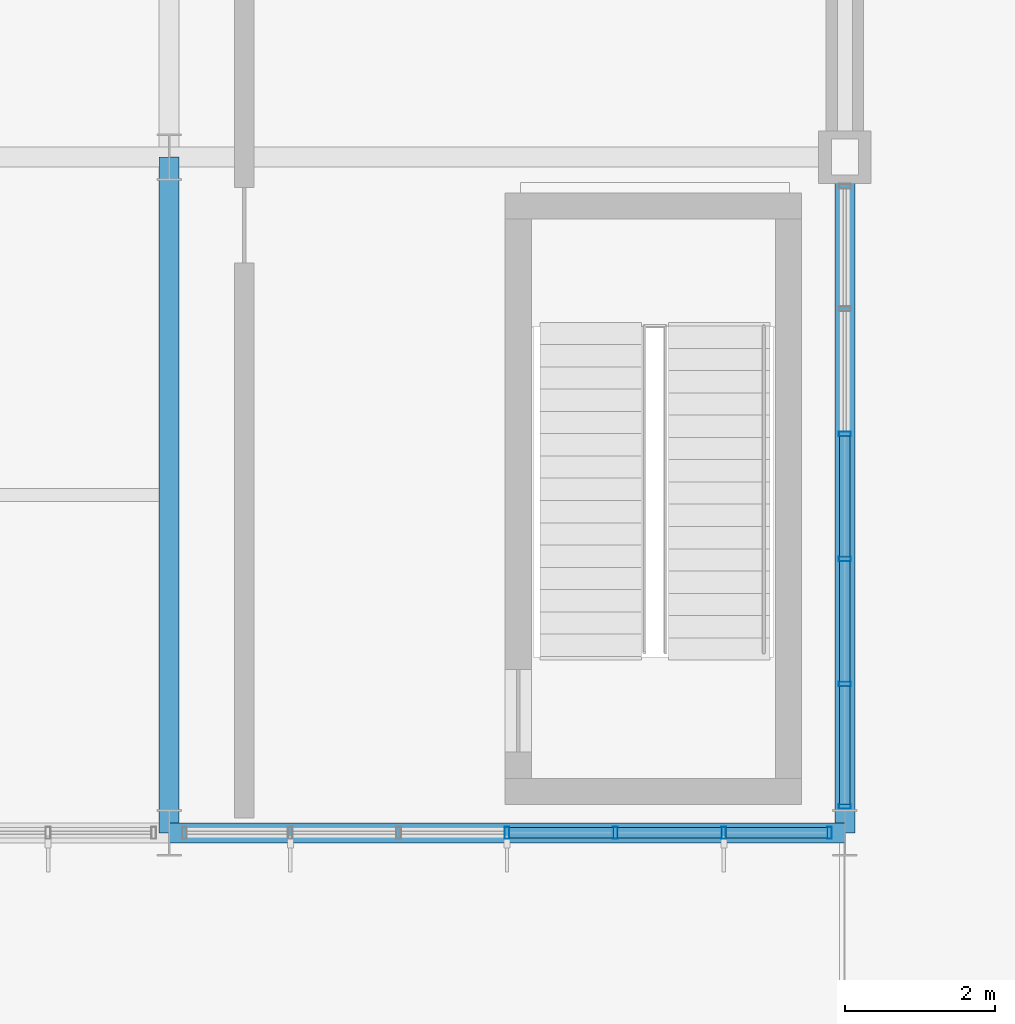
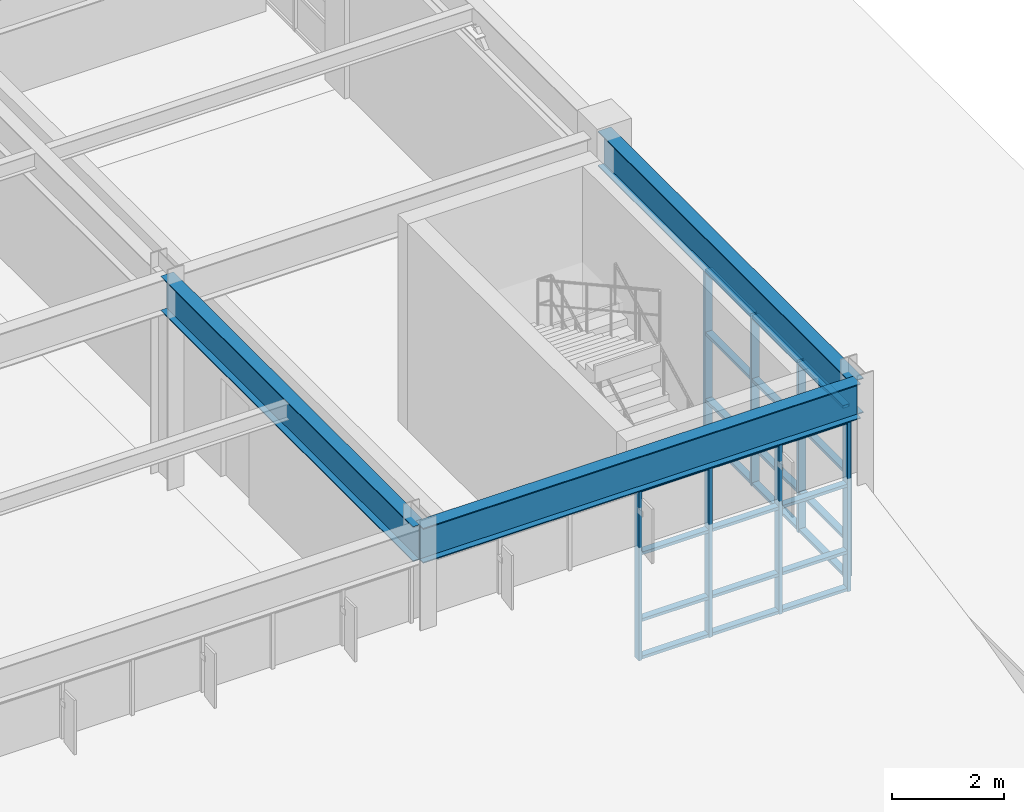
# One storey, part 64 of 104: 32 members, 3 beams, 2 elements without a shape of their own.
"""IFC4 building model written with IfcOpenShell, lengths in metres."""

from ifc_helpers import new_model, si_unit, direction, frame, origin, origin_2d, place, context, subcontext, project, spatial, hollow_rectangle, i_section, extrude, material, layer, layer_set, material_profile, profile_set, type_object, element, aggregate, save


model = new_model("IFC4")

# Units and contexts
model_context = context("Model", 3, precision=1e-05, world=origin(), true_north=direction((0.0, 1.0)))
body_context = subcontext(model_context, "Body", "Model", "MODEL_VIEW")
ifc_project = project(units=[si_unit("LENGTHUNIT", "METRE"), si_unit("AREAUNIT", "SQUARE_METRE"), si_unit("VOLUMEUNIT", "CUBIC_METRE"), si_unit("PLANEANGLEUNIT", "RADIAN"), si_unit("MASSUNIT", "GRAM", prefix="KILO")], contexts=[model_context])

# Site, building, storey
site_placement = place(None, origin())
site = spatial("IfcSite", under=ifc_project, at=site_placement, CompositionType="ELEMENT")
building_placement = place(site_placement, origin())
building = spatial("IfcBuilding", under=site, at=building_placement, Name="Ventoquebrada Cableway Terminal", CompositionType="ELEMENT")
storey_placement = place(building_placement, frame((0.0, 0.0, 4.800048828125)))
storey = spatial("IfcBuildingStorey", under=building, at=storey_placement, Name="L01", CompositionType="ELEMENT", Elevation=4.800048828125)

# Beams
ifc_material_1 = material(Name="Steel ASTM A992 Grade 50", Category="steel")
ifc_material_profile_1 = material_profile(ifc_material_1, i_section(OverallWidth=0.26708984375, OverallDepth=0.761962890625, WebThickness=0.014404296875, FlangeThickness=0.021484375, at=origin_2d()), Name="W30X116")
ifc_profile_set_1 = profile_set([ifc_material_profile_1], Name="Steel ASTM A992 Grade 50")
beam_type = type_object("IfcBeamType", Name="BM-ST05", PredefinedType="BEAM", material=ifc_profile_set_1)
for number, where, z_axis, x_axis, name in (
    (1, (147.0, 77.0, 4.093994140625), (1.0, 0.0, 0.0), (0.0, 1.0, 0.0), "Primary frame girder FBM-0829"),
    (2, (147.0, 77.0, 4.093994140625), (0.0, 1.0, 0.0), (-1.0, 0.0, 0.0), "Primary frame girder FBM-0850"),
    (3, (156.0, 77.0, 4.093994140625), (0.0, 1.0, 0.0), (-1.0, 0.0, 0.0), "Primary frame girder FBM-0853"),
):
    element("IfcBeam", number, at=place(storey_placement, frame(where, z_axis=z_axis, x_axis=x_axis)), inside=storey, type_object=beam_type, Name=name, PredefinedType="BEAM", context=body_context, shape_type="SweptSolid", body=[
        extrude(i_section(OverallWidth=0.26708984375, OverallDepth=0.761962890625, WebThickness=0.014404296875, FlangeThickness=0.021484375, at=origin_2d()), origin(), (0.0, 0.0, 1.0), 9.0),
    ])

# Curtain wall, members
ifc_material_2 = material(Name="Anodized thermally-broken aluminium", Category="aluminium")
ifc_layer_1 = layer(ifc_material_2, 0.159912109375)
ifc_layer_set_1 = layer_set([ifc_layer_1], Name="Anodized thermally-broken aluminium")
curtain_wall_type_1 = type_object("IfcCurtainWallType", Name="CW-T30", PredefinedType="USERDEFINED", material=ifc_layer_set_1)
curtain_wall_1_placement = place(storey_placement, origin())
curtain_wall_1 = element("IfcCurtainWall", 4, at=curtain_wall_1_placement, inside=storey, type_object=curtain_wall_type_1, Name="Unitised glazed curtain wall CW-075", ObjectType="UNITISED CURTAIN WALL", PredefinedType="USERDEFINED")
ifc_material_profile_2 = material_profile(ifc_material_2, hollow_rectangle(XDim=0.06494140625, YDim=0.159912109375, WallThickness=0.00390625, at=origin_2d()), Name="CW-MUL-65X160")
ifc_profile_set_2 = profile_set([ifc_material_profile_2], Name="Anodized thermally-broken aluminium")
member_type_1 = type_object("IfcMemberType", Name="CWM-01", PredefinedType="MULLION", material=ifc_profile_set_2)
member_1_placement = place(storey_placement, frame((151.5, 77.0, -0.008056640625), z_axis=(0.0, 0.0, 1.0), x_axis=(1.0, 0.0, 0.0)))
member_1 = element("IfcMember", 5, at=member_1_placement, type_object=member_type_1, Name="Curtain wall mullion FML-0357", PredefinedType="MULLION", context=body_context, shape_type="SweptSolid", body=[
    extrude(hollow_rectangle(XDim=0.06494140625, YDim=0.159912109375, WallThickness=0.00390625, at=origin_2d()), origin(), (0.0, 0.0, 1.0), 3.720947265625),
])
member_2_placement = place(storey_placement, frame((152.944091796875, 77.0, -0.008056640625), z_axis=(0.0, 0.0, 1.0), x_axis=(1.0, 0.0, 0.0)))
member_2 = element("IfcMember", 6, at=member_2_placement, type_object=member_type_1, Name="Curtain wall mullion FML-0358", PredefinedType="MULLION", context=body_context, shape_type="SweptSolid", body=[
    extrude(hollow_rectangle(XDim=0.06494140625, YDim=0.159912109375, WallThickness=0.00390625, at=origin_2d()), origin(), (0.0, 0.0, 1.0), 3.720947265625),
])
member_3_placement = place(storey_placement, frame((154.386962890625, 77.0, -0.008056640625), z_axis=(0.0, 0.0, 1.0), x_axis=(1.0, 0.0, 0.0)))
member_3 = element("IfcMember", 7, at=member_3_placement, type_object=member_type_1, Name="Curtain wall mullion FML-0359", PredefinedType="MULLION", context=body_context, shape_type="SweptSolid", body=[
    extrude(hollow_rectangle(XDim=0.06494140625, YDim=0.159912109375, WallThickness=0.00390625, at=origin_2d()), origin(), (0.0, 0.0, 1.0), 3.720947265625),
])
member_4_placement = place(storey_placement, frame((155.7958984375, 77.0, -0.008056640625), z_axis=(0.0, 0.0, 1.0), x_axis=(1.0, 0.0, 0.0)))
member_4 = element("IfcMember", 8, at=member_4_placement, type_object=member_type_1, Name="Curtain wall mullion FML-0360", PredefinedType="MULLION", context=body_context, shape_type="SweptSolid", body=[
    extrude(hollow_rectangle(XDim=0.06494140625, YDim=0.159912109375, WallThickness=0.00390625, at=origin_2d()), origin(), (0.0, 0.0, 1.0), 3.720947265625),
])

ifc_layer_2 = layer(ifc_material_2, 0.159912109375)
ifc_layer_set_2 = layer_set([ifc_layer_2], Name="Anodized thermally-broken aluminium")
curtain_wall_type_2 = type_object("IfcCurtainWallType", Name="CW-T31", PredefinedType="USERDEFINED", material=ifc_layer_set_2)
curtain_wall_2_placement = place(storey_placement, origin())
curtain_wall_2 = element("IfcCurtainWall", 9, at=curtain_wall_2_placement, inside=storey, type_object=curtain_wall_type_2, Name="Unitised glazed curtain wall CW-076", ObjectType="UNITISED CURTAIN WALL", PredefinedType="USERDEFINED")
member_5_placement = place(storey_placement, frame((156.0, 77.35107421875, -0.008056640625), z_axis=(0.0, 0.0, 1.0), x_axis=(0.0, 1.0, 0.0)))
member_5 = element("IfcMember", 10, at=member_5_placement, type_object=member_type_1, Name="Curtain wall mullion FML-0361", PredefinedType="MULLION", context=body_context, shape_type="SweptSolid", body=[
    extrude(hollow_rectangle(XDim=0.06494140625, YDim=0.159912109375, WallThickness=0.00390625, at=origin_2d()), origin(), (0.0, 0.0, 1.0), 3.720947265625),
])
member_6_placement = place(storey_placement, frame((156.0, 78.98193359375, -0.008056640625), z_axis=(0.0, 0.0, 1.0), x_axis=(0.0, 1.0, 0.0)))
member_6 = element("IfcMember", 11, at=member_6_placement, type_object=member_type_1, Name="Curtain wall mullion FML-0362", PredefinedType="MULLION", context=body_context, shape_type="SweptSolid", body=[
    extrude(hollow_rectangle(XDim=0.06494140625, YDim=0.159912109375, WallThickness=0.00390625, at=origin_2d()), origin(), (0.0, 0.0, 1.0), 3.720947265625),
])
member_7_placement = place(storey_placement, frame((156.0, 80.64794921875, -0.008056640625), z_axis=(0.0, 0.0, 1.0), x_axis=(0.0, 1.0, 0.0)))
member_7 = element("IfcMember", 12, at=member_7_placement, type_object=member_type_1, Name="Curtain wall mullion FML-0363", PredefinedType="MULLION", context=body_context, shape_type="SweptSolid", body=[
    extrude(hollow_rectangle(XDim=0.06494140625, YDim=0.159912109375, WallThickness=0.00390625, at=origin_2d()), origin(), (0.0, 0.0, 1.0), 3.720947265625),
])
member_8_placement = place(storey_placement, frame((156.0, 82.31298828125, -0.008056640625), z_axis=(0.0, 0.0, 1.0), x_axis=(0.0, 1.0, 0.0)))
member_8 = element("IfcMember", 13, at=member_8_placement, type_object=member_type_1, Name="Curtain wall mullion FML-0364", PredefinedType="MULLION", context=body_context, shape_type="SweptSolid", body=[
    extrude(hollow_rectangle(XDim=0.06494140625, YDim=0.159912109375, WallThickness=0.00390625, at=origin_2d()), origin(), (0.0, 0.0, 1.0), 3.720947265625),
])

# Member
ifc_material_profile_3 = material_profile(ifc_material_2, hollow_rectangle(XDim=0.06494140625, YDim=0.139892578125, WallThickness=0.00390625, at=origin_2d()), Name="CW-TRN-65X140")
ifc_profile_set_3 = profile_set([ifc_material_profile_3], Name="Anodized thermally-broken aluminium")
member_type_2 = type_object("IfcMemberType", Name="CWT-01", PredefinedType="USERDEFINED", material=ifc_profile_set_3)
member_9_placement = place(storey_placement, frame((151.528076171875, 77.0, 0.034912109375), z_axis=(1.0, 0.0, 0.0), x_axis=(0.0, 0.0, 1.0)))
member_9 = element("IfcMember", 14, at=member_9_placement, type_object=member_type_2, Name="Curtain wall transom FTR-1036", ObjectType="TRANSOM", PredefinedType="USERDEFINED", context=body_context, shape_type="SweptSolid", body=[
    extrude(hollow_rectangle(XDim=0.06494140625, YDim=0.139892578125, WallThickness=0.00390625, at=origin_2d()), origin(), (0.0, 0.0, 1.0), 1.387939453125),
])

member_10_placement = place(storey_placement, frame((151.528076171875, 77.0, 0.849853515625), z_axis=(1.0, 0.0, 0.0), x_axis=(0.0, 0.0, 1.0)))
member_10 = element("IfcMember", 15, at=member_10_placement, type_object=member_type_2, Name="Curtain wall transom FTR-1037", ObjectType="TRANSOM", PredefinedType="USERDEFINED", context=body_context, shape_type="SweptSolid", body=[
    extrude(hollow_rectangle(XDim=0.06494140625, YDim=0.139892578125, WallThickness=0.00390625, at=origin_2d()), origin(), (0.0, 0.0, 1.0), 1.387939453125),
])

member_11_placement = place(storey_placement, frame((151.528076171875, 77.0, 2.299072265625), z_axis=(1.0, 0.0, 0.0), x_axis=(0.0, 0.0, 1.0)))
member_11 = element("IfcMember", 16, at=member_11_placement, type_object=member_type_2, Name="Curtain wall transom FTR-1038", ObjectType="TRANSOM", PredefinedType="USERDEFINED", context=body_context, shape_type="SweptSolid", body=[
    extrude(hollow_rectangle(XDim=0.06494140625, YDim=0.139892578125, WallThickness=0.00390625, at=origin_2d()), origin(), (0.0, 0.0, 1.0), 1.387939453125),
])

member_12_placement = place(storey_placement, frame((151.528076171875, 77.0, 3.6728515625), z_axis=(1.0, 0.0, 0.0), x_axis=(0.0, 0.0, 1.0)))
member_12 = element("IfcMember", 17, at=member_12_placement, type_object=member_type_2, Name="Curtain wall transom FTR-1039", ObjectType="TRANSOM", PredefinedType="USERDEFINED", context=body_context, shape_type="SweptSolid", body=[
    extrude(hollow_rectangle(XDim=0.06494140625, YDim=0.139892578125, WallThickness=0.00390625, at=origin_2d()), origin(), (0.0, 0.0, 1.0), 1.387939453125),
])

member_13_placement = place(storey_placement, frame((152.970947265625, 77.0, 0.034912109375), z_axis=(1.0, 0.0, 0.0), x_axis=(0.0, 0.0, 1.0)))
member_13 = element("IfcMember", 18, at=member_13_placement, type_object=member_type_2, Name="Curtain wall transom FTR-1040", ObjectType="TRANSOM", PredefinedType="USERDEFINED", context=body_context, shape_type="SweptSolid", body=[
    extrude(hollow_rectangle(XDim=0.06494140625, YDim=0.139892578125, WallThickness=0.00390625, at=origin_2d()), origin(), (0.0, 0.0, 1.0), 1.38916015625),
])

member_14_placement = place(storey_placement, frame((152.970947265625, 77.0, 0.849853515625), z_axis=(1.0, 0.0, 0.0), x_axis=(0.0, 0.0, 1.0)))
member_14 = element("IfcMember", 19, at=member_14_placement, type_object=member_type_2, Name="Curtain wall transom FTR-1041", ObjectType="TRANSOM", PredefinedType="USERDEFINED", context=body_context, shape_type="SweptSolid", body=[
    extrude(hollow_rectangle(XDim=0.06494140625, YDim=0.139892578125, WallThickness=0.00390625, at=origin_2d()), origin(), (0.0, 0.0, 1.0), 1.38916015625),
])

member_15_placement = place(storey_placement, frame((152.970947265625, 77.0, 2.299072265625), z_axis=(1.0, 0.0, 0.0), x_axis=(0.0, 0.0, 1.0)))
member_15 = element("IfcMember", 20, at=member_15_placement, type_object=member_type_2, Name="Curtain wall transom FTR-1042", ObjectType="TRANSOM", PredefinedType="USERDEFINED", context=body_context, shape_type="SweptSolid", body=[
    extrude(hollow_rectangle(XDim=0.06494140625, YDim=0.139892578125, WallThickness=0.00390625, at=origin_2d()), origin(), (0.0, 0.0, 1.0), 1.38916015625),
])

member_16_placement = place(storey_placement, frame((152.970947265625, 77.0, 3.6728515625), z_axis=(1.0, 0.0, 0.0), x_axis=(0.0, 0.0, 1.0)))
member_16 = element("IfcMember", 21, at=member_16_placement, type_object=member_type_2, Name="Curtain wall transom FTR-1043", ObjectType="TRANSOM", PredefinedType="USERDEFINED", context=body_context, shape_type="SweptSolid", body=[
    extrude(hollow_rectangle(XDim=0.06494140625, YDim=0.139892578125, WallThickness=0.00390625, at=origin_2d()), origin(), (0.0, 0.0, 1.0), 1.38916015625),
])

member_17_placement = place(storey_placement, frame((154.4150390625, 77.0, 0.034912109375), z_axis=(1.0, 0.0, 0.0), x_axis=(0.0, 0.0, 1.0)))
member_17 = element("IfcMember", 22, at=member_17_placement, type_object=member_type_2, Name="Curtain wall transom FTR-1044", ObjectType="TRANSOM", PredefinedType="USERDEFINED", context=body_context, shape_type="SweptSolid", body=[
    extrude(hollow_rectangle(XDim=0.06494140625, YDim=0.139892578125, WallThickness=0.00390625, at=origin_2d()), origin(), (0.0, 0.0, 1.0), 1.35302734375),
])

member_18_placement = place(storey_placement, frame((154.4150390625, 77.0, 0.849853515625), z_axis=(1.0, 0.0, 0.0), x_axis=(0.0, 0.0, 1.0)))
member_18 = element("IfcMember", 23, at=member_18_placement, type_object=member_type_2, Name="Curtain wall transom FTR-1045", ObjectType="TRANSOM", PredefinedType="USERDEFINED", context=body_context, shape_type="SweptSolid", body=[
    extrude(hollow_rectangle(XDim=0.06494140625, YDim=0.139892578125, WallThickness=0.00390625, at=origin_2d()), origin(), (0.0, 0.0, 1.0), 1.35302734375),
])

member_19_placement = place(storey_placement, frame((154.4150390625, 77.0, 2.299072265625), z_axis=(1.0, 0.0, 0.0), x_axis=(0.0, 0.0, 1.0)))
member_19 = element("IfcMember", 24, at=member_19_placement, type_object=member_type_2, Name="Curtain wall transom FTR-1046", ObjectType="TRANSOM", PredefinedType="USERDEFINED", context=body_context, shape_type="SweptSolid", body=[
    extrude(hollow_rectangle(XDim=0.06494140625, YDim=0.139892578125, WallThickness=0.00390625, at=origin_2d()), origin(), (0.0, 0.0, 1.0), 1.35302734375),
])

member_20_placement = place(storey_placement, frame((154.4150390625, 77.0, 3.6728515625), z_axis=(1.0, 0.0, 0.0), x_axis=(0.0, 0.0, 1.0)))
member_20 = element("IfcMember", 25, at=member_20_placement, type_object=member_type_2, Name="Curtain wall transom FTR-1047", ObjectType="TRANSOM", PredefinedType="USERDEFINED", context=body_context, shape_type="SweptSolid", body=[
    extrude(hollow_rectangle(XDim=0.06494140625, YDim=0.139892578125, WallThickness=0.00390625, at=origin_2d()), origin(), (0.0, 0.0, 1.0), 1.35302734375),
])

aggregate(curtain_wall_1, [member_1, member_2, member_3, member_4, member_9, member_10, member_11, member_12, member_13, member_14, member_15, member_16, member_17, member_18, member_19, member_20])

member_21_placement = place(storey_placement, frame((156.0, 77.37890625, 0.034912109375), z_axis=(0.0, 1.0, 0.0), x_axis=(0.0, 0.0, 1.0)))
member_21 = element("IfcMember", 26, at=member_21_placement, type_object=member_type_2, Name="Curtain wall transom FTR-1048", ObjectType="TRANSOM", PredefinedType="USERDEFINED", context=body_context, shape_type="SweptSolid", body=[
    extrude(hollow_rectangle(XDim=0.06494140625, YDim=0.139892578125, WallThickness=0.00390625, at=origin_2d()), origin(), (0.0, 0.0, 1.0), 1.5751953125),
])

member_22_placement = place(storey_placement, frame((156.0, 77.37890625, 0.849853515625), z_axis=(0.0, 1.0, 0.0), x_axis=(0.0, 0.0, 1.0)))
member_22 = element("IfcMember", 27, at=member_22_placement, type_object=member_type_2, Name="Curtain wall transom FTR-1049", ObjectType="TRANSOM", PredefinedType="USERDEFINED", context=body_context, shape_type="SweptSolid", body=[
    extrude(hollow_rectangle(XDim=0.06494140625, YDim=0.139892578125, WallThickness=0.00390625, at=origin_2d()), origin(), (0.0, 0.0, 1.0), 1.5751953125),
])

member_23_placement = place(storey_placement, frame((156.0, 77.37890625, 2.299072265625), z_axis=(0.0, 1.0, 0.0), x_axis=(0.0, 0.0, 1.0)))
member_23 = element("IfcMember", 28, at=member_23_placement, type_object=member_type_2, Name="Curtain wall transom FTR-1050", ObjectType="TRANSOM", PredefinedType="USERDEFINED", context=body_context, shape_type="SweptSolid", body=[
    extrude(hollow_rectangle(XDim=0.06494140625, YDim=0.139892578125, WallThickness=0.00390625, at=origin_2d()), origin(), (0.0, 0.0, 1.0), 1.5751953125),
])

member_24_placement = place(storey_placement, frame((156.0, 77.37890625, 3.6728515625), z_axis=(0.0, 1.0, 0.0), x_axis=(0.0, 0.0, 1.0)))
member_24 = element("IfcMember", 29, at=member_24_placement, type_object=member_type_2, Name="Curtain wall transom FTR-1051", ObjectType="TRANSOM", PredefinedType="USERDEFINED", context=body_context, shape_type="SweptSolid", body=[
    extrude(hollow_rectangle(XDim=0.06494140625, YDim=0.139892578125, WallThickness=0.00390625, at=origin_2d()), origin(), (0.0, 0.0, 1.0), 1.5751953125),
])

member_25_placement = place(storey_placement, frame((156.0, 79.009033203125, 0.034912109375), z_axis=(0.0, 1.0, 0.0), x_axis=(0.0, 0.0, 1.0)))
member_25 = element("IfcMember", 30, at=member_25_placement, type_object=member_type_2, Name="Curtain wall transom FTR-1052", ObjectType="TRANSOM", PredefinedType="USERDEFINED", context=body_context, shape_type="SweptSolid", body=[
    extrude(hollow_rectangle(XDim=0.06494140625, YDim=0.139892578125, WallThickness=0.00390625, at=origin_2d()), origin(), (0.0, 0.0, 1.0), 1.611083984375),
])

member_26_placement = place(storey_placement, frame((156.0, 79.009033203125, 0.849853515625), z_axis=(0.0, 1.0, 0.0), x_axis=(0.0, 0.0, 1.0)))
member_26 = element("IfcMember", 31, at=member_26_placement, type_object=member_type_2, Name="Curtain wall transom FTR-1053", ObjectType="TRANSOM", PredefinedType="USERDEFINED", context=body_context, shape_type="SweptSolid", body=[
    extrude(hollow_rectangle(XDim=0.06494140625, YDim=0.139892578125, WallThickness=0.00390625, at=origin_2d()), origin(), (0.0, 0.0, 1.0), 1.611083984375),
])

member_27_placement = place(storey_placement, frame((156.0, 79.009033203125, 2.299072265625), z_axis=(0.0, 1.0, 0.0), x_axis=(0.0, 0.0, 1.0)))
member_27 = element("IfcMember", 32, at=member_27_placement, type_object=member_type_2, Name="Curtain wall transom FTR-1054", ObjectType="TRANSOM", PredefinedType="USERDEFINED", context=body_context, shape_type="SweptSolid", body=[
    extrude(hollow_rectangle(XDim=0.06494140625, YDim=0.139892578125, WallThickness=0.00390625, at=origin_2d()), origin(), (0.0, 0.0, 1.0), 1.611083984375),
])

member_28_placement = place(storey_placement, frame((156.0, 79.009033203125, 3.6728515625), z_axis=(0.0, 1.0, 0.0), x_axis=(0.0, 0.0, 1.0)))
member_28 = element("IfcMember", 33, at=member_28_placement, type_object=member_type_2, Name="Curtain wall transom FTR-1055", ObjectType="TRANSOM", PredefinedType="USERDEFINED", context=body_context, shape_type="SweptSolid", body=[
    extrude(hollow_rectangle(XDim=0.06494140625, YDim=0.139892578125, WallThickness=0.00390625, at=origin_2d()), origin(), (0.0, 0.0, 1.0), 1.611083984375),
])

member_29_placement = place(storey_placement, frame((156.0, 80.675048828125, 0.034912109375), z_axis=(0.0, 1.0, 0.0), x_axis=(0.0, 0.0, 1.0)))
member_29 = element("IfcMember", 34, at=member_29_placement, type_object=member_type_2, Name="Curtain wall transom FTR-1056", ObjectType="TRANSOM", PredefinedType="USERDEFINED", context=body_context, shape_type="SweptSolid", body=[
    extrude(hollow_rectangle(XDim=0.06494140625, YDim=0.139892578125, WallThickness=0.00390625, at=origin_2d()), origin(), (0.0, 0.0, 1.0), 1.61083984375),
])

member_30_placement = place(storey_placement, frame((156.0, 80.675048828125, 0.849853515625), z_axis=(0.0, 1.0, 0.0), x_axis=(0.0, 0.0, 1.0)))
member_30 = element("IfcMember", 35, at=member_30_placement, type_object=member_type_2, Name="Curtain wall transom FTR-1057", ObjectType="TRANSOM", PredefinedType="USERDEFINED", context=body_context, shape_type="SweptSolid", body=[
    extrude(hollow_rectangle(XDim=0.06494140625, YDim=0.139892578125, WallThickness=0.00390625, at=origin_2d()), origin(), (0.0, 0.0, 1.0), 1.61083984375),
])

member_31_placement = place(storey_placement, frame((156.0, 80.675048828125, 2.299072265625), z_axis=(0.0, 1.0, 0.0), x_axis=(0.0, 0.0, 1.0)))
member_31 = element("IfcMember", 36, at=member_31_placement, type_object=member_type_2, Name="Curtain wall transom FTR-1058", ObjectType="TRANSOM", PredefinedType="USERDEFINED", context=body_context, shape_type="SweptSolid", body=[
    extrude(hollow_rectangle(XDim=0.06494140625, YDim=0.139892578125, WallThickness=0.00390625, at=origin_2d()), origin(), (0.0, 0.0, 1.0), 1.61083984375),
])

member_32_placement = place(storey_placement, frame((156.0, 80.675048828125, 3.6728515625), z_axis=(0.0, 1.0, 0.0), x_axis=(0.0, 0.0, 1.0)))
member_32 = element("IfcMember", 37, at=member_32_placement, type_object=member_type_2, Name="Curtain wall transom FTR-1059", ObjectType="TRANSOM", PredefinedType="USERDEFINED", context=body_context, shape_type="SweptSolid", body=[
    extrude(hollow_rectangle(XDim=0.06494140625, YDim=0.139892578125, WallThickness=0.00390625, at=origin_2d()), origin(), (0.0, 0.0, 1.0), 1.61083984375),
])

aggregate(curtain_wall_2, [member_5, member_6, member_7, member_8, member_21, member_22, member_23, member_24, member_25, member_26, member_27, member_28, member_29, member_30, member_31, member_32])

save(model, "model.ifc")
